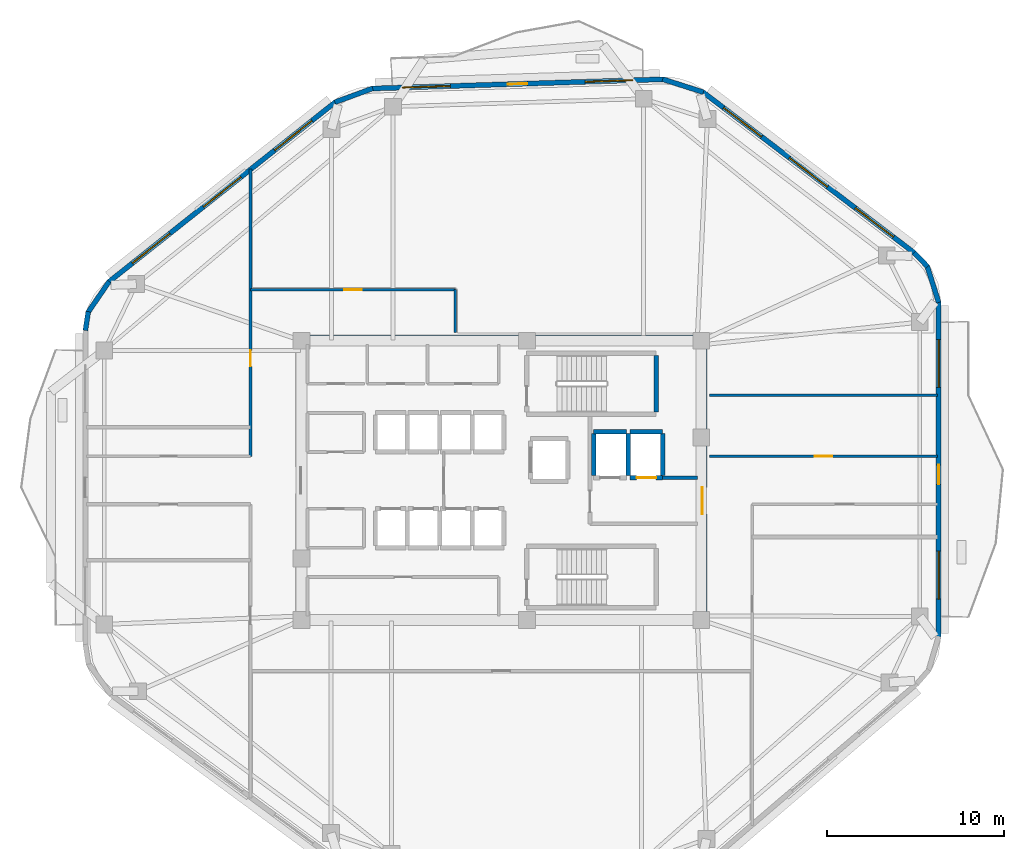
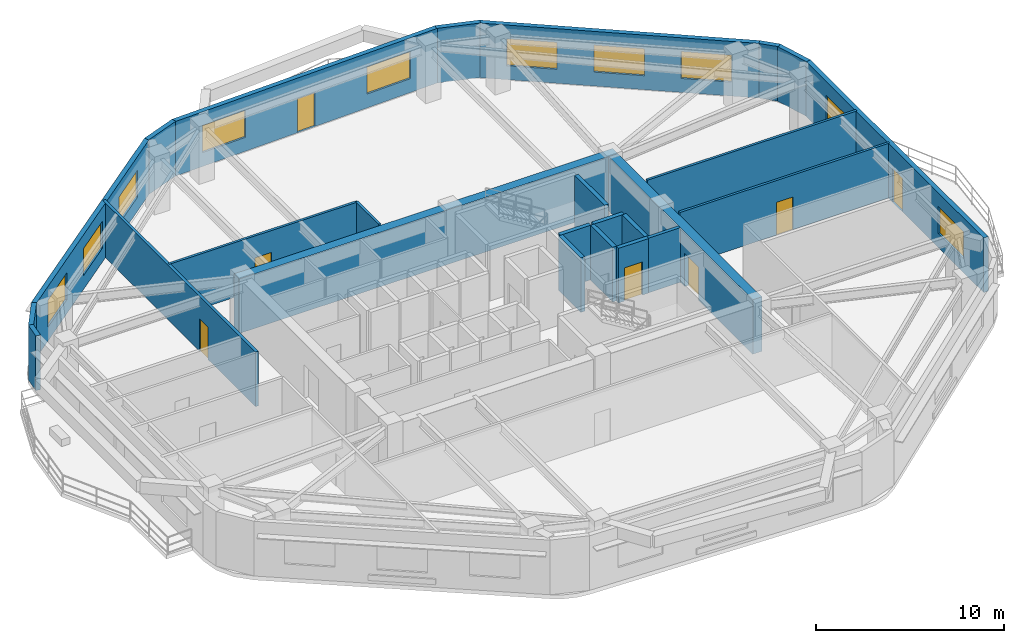
# One storey, part 5 of 8: 25 walls, 10 windows, 7 doors, 17 openings.
"""IFC4 building model written with IfcOpenShell, lengths in metres."""

from ifc_helpers import new_model, si_unit, direction, frame, frame_2d, origin, place, context, subcontext, project, spatial, rectangle, extrude, material, layer, layer_set, type_object, element, fill, save


model = new_model("IFC4")

# Units and contexts
model_context = context("Model", 3, precision=1e-05, world=origin(), true_north=direction((0.0, 1.0)))
body_context = subcontext(model_context, "Body", "Model", "MODEL_VIEW")
ifc_project = project(units=[si_unit("LENGTHUNIT", "METRE"), si_unit("AREAUNIT", "SQUARE_METRE"), si_unit("VOLUMEUNIT", "CUBIC_METRE"), si_unit("PLANEANGLEUNIT", "RADIAN"), si_unit("MASSUNIT", "GRAM", prefix="KILO")], contexts=[model_context])

# Site, building, storey
site_placement = place(None, origin())
site = spatial("IfcSite", under=ifc_project, at=site_placement, CompositionType="ELEMENT")
building_placement = place(site_placement, origin())
building = spatial("IfcBuilding", under=site, at=building_placement, Name="Zulverin Broadcast Headquarters", CompositionType="ELEMENT")
storey_placement = place(building_placement, frame((0.0, 0.0, 174.39990234375)))
storey = spatial("IfcBuildingStorey", under=building, at=storey_placement, Name="L44", CompositionType="ELEMENT", Elevation=174.39990234375)

# Wall
ifc_material_1 = material(Name="Concrete C60/75", Category="concrete")
ifc_layer_1 = layer(ifc_material_1, 0.550048828125, Name="Concrete C60/75", Category="concrete")
ifc_layer_set_1 = layer_set([ifc_layer_1], Name="Concrete C60/75")
wall_type_1 = type_object("IfcWallType", Name="WL-CORE-550", PredefinedType="SHEAR", material=ifc_layer_set_1)
wall_1_placement = place(storey_placement, frame((25.39990234375, 33.125, 0.0), z_axis=(0.0, 0.0, 1.0), x_axis=(1.0, 0.0, 0.0)))
element("IfcWall", 1, at=wall_1_placement, inside=storey, type_object=wall_type_1, Name="L44 Core North Shear Wall", PredefinedType="SHEAR", context=body_context, shape_type="SweptSolid", body=[
    extrude(rectangle(XDim=23.2001953125, YDim=0.550048828125, at=frame_2d((11.60009765625, 0.0))), origin(), (0.0, 0.0, 1.0), 3.5400390625),
])

# Wall, opening, door
wall_2_placement = place(storey_placement, frame((48.324951171875, 17.550048828125, 0.0), z_axis=(0.0, 0.0, 1.0), x_axis=(0.0, 1.0, 0.0)))
wall_2 = element("IfcWall", 2, at=wall_2_placement, inside=storey, type_object=wall_type_1, Name="L44 Core East Shear Wall", PredefinedType="SHEAR", context=body_context, shape_type="SweptSolid", body=[
    extrude(rectangle(XDim=15.300048828125, YDim=0.550048828125, at=frame_2d((7.64990234375, 0.0))), origin(), (0.0, 0.0, 1.0), 3.5400390625),
])
opening_1_placement = place(wall_2_placement, frame((5.75, 0.0, 0.0)))
opening_1 = element("IfcOpeningElement", 3, at=opening_1_placement, cuts=wall_2, Name="Opening D-L44-CE1", PredefinedType="OPENING", context=body_context, shape_type="SweptSolid", body=[
    extrude(rectangle(XDim=1.5, YDim=2.14990234375, at=frame_2d((0.75, 1.074951171875))), frame((0.0, 0.284912109375, 0.0), z_axis=(0.0, -1.0, 0.0), x_axis=(1.0, 0.0, 0.0)), (0.0, 0.0, 1.0), 0.570068359375),
])
ifc_material_2 = material(Name="Fire-rated glazed steel frame", Category="steel")
door_type_1 = type_object("IfcDoorType", Name="DR-COR-1500", OperationType="DOUBLE_DOOR_SINGLE_SWING", PredefinedType="DOOR", material=ifc_material_2)
door_1_placement = place(opening_1_placement, origin())
door_1 = element("IfcDoor", 4, at=door_1_placement, inside=storey, type_object=door_type_1, Name="L44 Firefighting Lobby East Corridor Door", OperationType="DOUBLE_DOOR_SINGLE_SWING", OverallHeight=2.14990234375, OverallWidth=1.5, PredefinedType="DOOR", context=body_context, shape_type="SweptSolid", body=[
    extrude(rectangle(XDim=1.5, YDim=2.14990234375, at=frame_2d((0.75, 1.074951171875))), frame((0.0, 0.02490234375, 0.0), z_axis=(0.0, -1.0, 0.0), x_axis=(1.0, 0.0, 0.0)), (0.0, 0.0, 1.0), 0.050048828125),
])
fill(opening_1, door_1)

# Wall, openings, door, windows
ifc_material_3 = material(Name="Insulated pale-metal clad concrete spandrel C40/50", Category="concrete")
ifc_layer_2 = layer(ifc_material_3, 0.280029296875, Name="Insulated pale-metal clad concrete spandrel C40/50", Category="concrete")
ifc_layer_set_2 = layer_set([ifc_layer_2], Name="Insulated pale-metal clad concrete spandrel C40/50")
wall_type_2 = type_object("IfcWallType", Name="WL-EXT-280", PredefinedType="STANDARD", material=ifc_layer_set_2)
wall_3_placement = place(storey_placement, frame((61.659912109375, 16.369384765625, 0.0), z_axis=(0.0, 0.0, 1.0), x_axis=(0.0, 1.0, 0.0)))
wall_3 = element("IfcWall", 5, at=wall_3_placement, inside=storey, type_object=wall_type_2, Name="L44 Pale-Metal Clad Spandrel Wall 3", PredefinedType="STANDARD", context=body_context, shape_type="SweptSolid", body=[
    extrude(rectangle(XDim=18.902099609375, YDim=0.280029296875, at=frame_2d((9.451171875, 0.0))), origin(), (0.0, 0.0, 1.0), 3.5400390625),
])
opening_2_placement = place(wall_3_placement, frame((8.60107421875, 0.0, 0.0)))
opening_2 = element("IfcOpeningElement", 6, at=opening_2_placement, cuts=wall_3, Name="Opening D-L44-TR3", PredefinedType="OPENING", context=body_context, shape_type="SweptSolid", body=[
    extrude(rectangle(XDim=1.10009765625, YDim=2.199951171875, at=frame_2d((0.550048828125, 1.10009765625))), frame((0.0, 0.14990234375, 0.0), z_axis=(0.0, -1.0, 0.0), x_axis=(1.0, 0.0, 0.0)), (0.0, 0.0, 1.0), 0.300048828125),
])
opening_3_placement = place(wall_3_placement, frame((2.1337890625, 0.0, 0.89990234375)))
opening_3 = element("IfcOpeningElement", 7, at=opening_3_placement, cuts=wall_3, Name="Opening W-L44-E31", PredefinedType="OPENING", context=body_context, shape_type="SweptSolid", body=[
    extrude(rectangle(XDim=2.699951171875, YDim=1.75, at=frame_2d((1.35009765625, 0.875))), frame((0.0, 0.14990234375, 0.0), z_axis=(0.0, -1.0, 0.0), x_axis=(1.0, 0.0, 0.0)), (0.0, 0.0, 1.0), 0.300048828125),
])
opening_4_placement = place(wall_3_placement, frame((14.068603515625, 0.0, 0.89990234375)))
opening_4 = element("IfcOpeningElement", 8, at=opening_4_placement, cuts=wall_3, Name="Opening W-L44-E32", PredefinedType="OPENING", context=body_context, shape_type="SweptSolid", body=[
    extrude(rectangle(XDim=2.699951171875, YDim=1.75, at=frame_2d((1.35009765625, 0.875))), frame((0.0, 0.14990234375, 0.0), z_axis=(0.0, -1.0, 0.0), x_axis=(1.0, 0.0, 0.0)), (0.0, 0.0, 1.0), 0.300048828125),
])
ifc_material_4 = material(Name="Thermally broken aluminium glazed", Category="aluminium")
door_type_2 = type_object("IfcDoorType", Name="DR-TERR-1100", OperationType="SINGLE_SWING_RIGHT", PredefinedType="DOOR", material=ifc_material_4)
door_2_placement = place(opening_2_placement, origin())
door_2 = element("IfcDoor", 9, at=door_2_placement, inside=storey, type_object=door_type_2, Name="L44 Planted Terrace Glazed Access Door 3", OperationType="SINGLE_SWING_RIGHT", OverallHeight=2.199951171875, OverallWidth=1.10009765625, PredefinedType="DOOR", context=body_context, shape_type="SweptSolid", body=[
    extrude(rectangle(XDim=1.10009765625, YDim=2.199951171875, at=frame_2d((0.550048828125, 1.10009765625))), frame((0.0, 0.02490234375, 0.0), z_axis=(0.0, -1.0, 0.0), x_axis=(1.0, 0.0, 0.0)), (0.0, 0.0, 1.0), 0.050048828125),
])
fill(opening_2, door_2)
ifc_material_5 = material(Name="Pale anodized aluminium frame with solar-control low-E double glazing", Category="aluminium")
window_type = type_object("IfcWindowType", Name="WIN-TWR-2700", PartitioningType="SINGLE_PANEL", PredefinedType="WINDOW", material=ifc_material_5)
window_1_placement = place(opening_3_placement, origin())
window_1 = element("IfcWindow", 10, at=window_1_placement, inside=storey, type_object=window_type, Name="L44 Ribbon Glazing Window 3 1", OverallHeight=1.75, OverallWidth=2.699951171875, PartitioningType="SINGLE_PANEL", PredefinedType="WINDOW", context=body_context, shape_type="SweptSolid", body=[
    extrude(rectangle(XDim=2.699951171875, YDim=1.75, at=frame_2d((1.35009765625, 0.875))), frame((0.0, 0.030029296875, 0.0), z_axis=(0.0, -1.0, 0.0), x_axis=(1.0, 0.0, 0.0)), (0.0, 0.0, 1.0), 0.06005859375),
])
fill(opening_3, window_1)
window_2_placement = place(opening_4_placement, origin())
window_2 = element("IfcWindow", 11, at=window_2_placement, inside=storey, type_object=window_type, Name="L44 Ribbon Glazing Window 3 2", OverallHeight=1.75, OverallWidth=2.699951171875, PartitioningType="SINGLE_PANEL", PredefinedType="WINDOW", context=body_context, shape_type="SweptSolid", body=[
    extrude(rectangle(XDim=2.699951171875, YDim=1.75, at=frame_2d((1.35009765625, 0.875))), frame((0.0, 0.030029296875, 0.0), z_axis=(0.0, -1.0, 0.0), x_axis=(1.0, 0.0, 0.0)), (0.0, 0.0, 1.0), 0.06005859375),
])
fill(opening_4, window_2)

# Wall, openings, windows
wall_4_placement = place(storey_placement, frame((60.294921875, 38.025146484375, 0.0), z_axis=(0.0, 0.0, 1.0), x_axis=(-0.795831760834, 0.605517801925, 0.0)))
wall_4 = element("IfcWall", 12, at=wall_4_placement, inside=storey, type_object=wall_type_2, Name="L44 Pale-Metal Clad Spandrel Wall 4", PredefinedType="STANDARD", context=body_context, shape_type="SweptSolid", body=[
    extrude(rectangle(XDim=15.01171875, YDim=0.280029296875, at=frame_2d((7.505859375, 0.0))), origin(), (0.0, 0.0, 1.0), 3.5400390625),
])
opening_5_placement = place(wall_4_placement, frame((1.4853515625, 0.0, 0.89990234375)))
opening_5 = element("IfcOpeningElement", 13, at=opening_5_placement, cuts=wall_4, Name="Opening W-L44-E41", PredefinedType="OPENING", context=body_context, shape_type="SweptSolid", body=[
    extrude(rectangle(XDim=2.699951171875, YDim=1.75, at=frame_2d((1.35009765625, 0.875))), frame((0.0, 0.14990234375, 0.0), z_axis=(0.0, -1.0, 0.0), x_axis=(1.0, 0.0, 0.0)), (0.0, 0.0, 1.0), 0.300048828125),
])
opening_6_placement = place(wall_4_placement, frame((6.156005859375, 0.0, 0.89990234375)))
opening_6 = element("IfcOpeningElement", 14, at=opening_6_placement, cuts=wall_4, Name="Opening W-L44-E42", PredefinedType="OPENING", context=body_context, shape_type="SweptSolid", body=[
    extrude(rectangle(XDim=2.699951171875, YDim=1.75, at=frame_2d((1.35009765625, 0.875))), frame((0.0, 0.14990234375, 0.0), z_axis=(0.0, -1.0, 0.0), x_axis=(1.0, 0.0, 0.0)), (0.0, 0.0, 1.0), 0.300048828125),
])
opening_7_placement = place(wall_4_placement, frame((10.826416015625, 0.0, 0.89990234375)))
opening_7 = element("IfcOpeningElement", 15, at=opening_7_placement, cuts=wall_4, Name="Opening W-L44-E43", PredefinedType="OPENING", context=body_context, shape_type="SweptSolid", body=[
    extrude(rectangle(XDim=2.699951171875, YDim=1.75, at=frame_2d((1.35009765625, 0.875))), frame((0.0, 0.14990234375, 0.0), z_axis=(0.0, -1.0, 0.0), x_axis=(1.0, 0.0, 0.0)), (0.0, 0.0, 1.0), 0.300048828125),
])
window_3_placement = place(opening_5_placement, origin())
window_3 = element("IfcWindow", 16, at=window_3_placement, inside=storey, type_object=window_type, Name="L44 Ribbon Glazing Window 4 1", OverallHeight=1.75, OverallWidth=2.699951171875, PartitioningType="SINGLE_PANEL", PredefinedType="WINDOW", context=body_context, shape_type="SweptSolid", body=[
    extrude(rectangle(XDim=2.699951171875, YDim=1.75, at=frame_2d((1.35009765625, 0.875))), frame((0.0, 0.030029296875, 0.0), z_axis=(0.0, -1.0, 0.0), x_axis=(1.0, 0.0, 0.0)), (0.0, 0.0, 1.0), 0.06005859375),
])
fill(opening_5, window_3)
window_4_placement = place(opening_6_placement, origin())
window_4 = element("IfcWindow", 17, at=window_4_placement, inside=storey, type_object=window_type, Name="L44 Ribbon Glazing Window 4 2", OverallHeight=1.75, OverallWidth=2.699951171875, PartitioningType="SINGLE_PANEL", PredefinedType="WINDOW", context=body_context, shape_type="SweptSolid", body=[
    extrude(rectangle(XDim=2.699951171875, YDim=1.75, at=frame_2d((1.35009765625, 0.875))), frame((0.0, 0.030029296875, 0.0), z_axis=(0.0, -1.0, 0.0), x_axis=(1.0, 0.0, 0.0)), (0.0, 0.0, 1.0), 0.06005859375),
])
fill(opening_6, window_4)
window_5_placement = place(opening_7_placement, origin())
window_5 = element("IfcWindow", 18, at=window_5_placement, inside=storey, type_object=window_type, Name="L44 Ribbon Glazing Window 4 3", OverallHeight=1.75, OverallWidth=2.699951171875, PartitioningType="SINGLE_PANEL", PredefinedType="WINDOW", context=body_context, shape_type="SweptSolid", body=[
    extrude(rectangle(XDim=2.699951171875, YDim=1.75, at=frame_2d((1.35009765625, 0.875))), frame((0.0, 0.030029296875, 0.0), z_axis=(0.0, -1.0, 0.0), x_axis=(1.0, 0.0, 0.0)), (0.0, 0.0, 1.0), 0.06005859375),
])
fill(opening_7, window_5)

# Wall, openings, door, windows
wall_5_placement = place(storey_placement, frame((46.143310546875, 47.819580078125, 0.0), z_axis=(0.0, 0.0, 1.0), x_axis=(-0.999497065256, -0.031711457627, 0.0)))
wall_5 = element("IfcWall", 19, at=wall_5_placement, inside=storey, type_object=wall_type_2, Name="L44 Pale-Metal Clad Spandrel Wall 5", PredefinedType="STANDARD", context=body_context, shape_type="SweptSolid", body=[
    extrude(rectangle(XDim=16.452392578125, YDim=0.280029296875, at=frame_2d((8.22607421875, 0.0))), origin(), (0.0, 0.0, 1.0), 3.5400390625),
])
opening_8_placement = place(wall_5_placement, frame((7.67626953125, 0.0, 0.0)))
opening_8 = element("IfcOpeningElement", 20, at=opening_8_placement, cuts=wall_5, Name="Opening D-L44-TR5", PredefinedType="OPENING", context=body_context, shape_type="SweptSolid", body=[
    extrude(rectangle(XDim=1.10009765625, YDim=2.199951171875, at=frame_2d((0.550048828125, 1.10009765625))), frame((0.0, 0.14990234375, 0.0), z_axis=(0.0, -1.0, 0.0), x_axis=(1.0, 0.0, 0.0)), (0.0, 0.0, 1.0), 0.300048828125),
])
opening_9_placement = place(wall_5_placement, frame((1.725341796875, 0.0, 0.89990234375)))
opening_9 = element("IfcOpeningElement", 21, at=opening_9_placement, cuts=wall_5, Name="Opening W-L44-E51", PredefinedType="OPENING", context=body_context, shape_type="SweptSolid", body=[
    extrude(rectangle(XDim=2.699951171875, YDim=1.75, at=frame_2d((1.35009765625, 0.875))), frame((0.0, 0.14990234375, 0.0), z_axis=(0.0, -1.0, 0.0), x_axis=(1.0, 0.0, 0.0)), (0.0, 0.0, 1.0), 0.300048828125),
])
opening_10_placement = place(wall_5_placement, frame((12.027099609375, 0.0, 0.89990234375)))
opening_10 = element("IfcOpeningElement", 22, at=opening_10_placement, cuts=wall_5, Name="Opening W-L44-E52", PredefinedType="OPENING", context=body_context, shape_type="SweptSolid", body=[
    extrude(rectangle(XDim=2.699951171875, YDim=1.75, at=frame_2d((1.35009765625, 0.875))), frame((0.0, 0.14990234375, 0.0), z_axis=(0.0, -1.0, 0.0), x_axis=(1.0, 0.0, 0.0)), (0.0, 0.0, 1.0), 0.300048828125),
])
door_3_placement = place(opening_8_placement, origin())
door_3 = element("IfcDoor", 23, at=door_3_placement, inside=storey, type_object=door_type_2, Name="L44 Planted Terrace Glazed Access Door 5", OperationType="SINGLE_SWING_RIGHT", OverallHeight=2.199951171875, OverallWidth=1.10009765625, PredefinedType="DOOR", context=body_context, shape_type="SweptSolid", body=[
    extrude(rectangle(XDim=1.10009765625, YDim=2.199951171875, at=frame_2d((0.550048828125, 1.10009765625))), frame((0.0, 0.02490234375, 0.0), z_axis=(0.0, -1.0, 0.0), x_axis=(1.0, 0.0, 0.0)), (0.0, 0.0, 1.0), 0.050048828125),
])
fill(opening_8, door_3)
window_6_placement = place(opening_9_placement, origin())
window_6 = element("IfcWindow", 24, at=window_6_placement, inside=storey, type_object=window_type, Name="L44 Ribbon Glazing Window 5 1", OverallHeight=1.75, OverallWidth=2.699951171875, PartitioningType="SINGLE_PANEL", PredefinedType="WINDOW", context=body_context, shape_type="SweptSolid", body=[
    extrude(rectangle(XDim=2.699951171875, YDim=1.75, at=frame_2d((1.35009765625, 0.875))), frame((0.0, 0.030029296875, 0.0), z_axis=(0.0, -1.0, 0.0), x_axis=(1.0, 0.0, 0.0)), (0.0, 0.0, 1.0), 0.06005859375),
])
fill(opening_9, window_6)
window_7_placement = place(opening_10_placement, origin())
window_7 = element("IfcWindow", 25, at=window_7_placement, inside=storey, type_object=window_type, Name="L44 Ribbon Glazing Window 5 2", OverallHeight=1.75, OverallWidth=2.699951171875, PartitioningType="SINGLE_PANEL", PredefinedType="WINDOW", context=body_context, shape_type="SweptSolid", body=[
    extrude(rectangle(XDim=2.699951171875, YDim=1.75, at=frame_2d((1.35009765625, 0.875))), frame((0.0, 0.030029296875, 0.0), z_axis=(0.0, -1.0, 0.0), x_axis=(1.0, 0.0, 0.0)), (0.0, 0.0, 1.0), 0.06005859375),
])
fill(opening_10, window_7)

# Wall, openings, windows
wall_6_placement = place(storey_placement, frame((27.657958984375, 46.5498046875, 0.0), z_axis=(0.0, 0.0, 1.0), x_axis=(-0.783266285861, -0.621686356158, 0.0)))
wall_6 = element("IfcWall", 26, at=wall_6_placement, inside=storey, type_object=wall_type_2, Name="L44 Pale-Metal Clad Spandrel Wall 6", PredefinedType="STANDARD", context=body_context, shape_type="SweptSolid", body=[
    extrude(rectangle(XDim=16.35302734375, YDim=0.280029296875, at=frame_2d((8.176513671875, 0.0))), origin(), (0.0, 0.0, 1.0), 3.5400390625),
])
opening_11_placement = place(wall_6_placement, frame((1.708740234375, 0.0, 0.89990234375)))
opening_11 = element("IfcOpeningElement", 27, at=opening_11_placement, cuts=wall_6, Name="Opening W-L44-E61", PredefinedType="OPENING", context=body_context, shape_type="SweptSolid", body=[
    extrude(rectangle(XDim=2.699951171875, YDim=1.75, at=frame_2d((1.35009765625, 0.875))), frame((0.0, 0.14990234375, 0.0), z_axis=(0.0, -1.0, 0.0), x_axis=(1.0, 0.0, 0.0)), (0.0, 0.0, 1.0), 0.300048828125),
])
opening_12_placement = place(wall_6_placement, frame((6.826416015625, 0.0, 0.89990234375)))
opening_12 = element("IfcOpeningElement", 28, at=opening_12_placement, cuts=wall_6, Name="Opening W-L44-E62", PredefinedType="OPENING", context=body_context, shape_type="SweptSolid", body=[
    extrude(rectangle(XDim=2.699951171875, YDim=1.75, at=frame_2d((1.35009765625, 0.875))), frame((0.0, 0.14990234375, 0.0), z_axis=(0.0, -1.0, 0.0), x_axis=(1.0, 0.0, 0.0)), (0.0, 0.0, 1.0), 0.300048828125),
])
opening_13_placement = place(wall_6_placement, frame((11.944091796875, 0.0, 0.89990234375)))
opening_13 = element("IfcOpeningElement", 29, at=opening_13_placement, cuts=wall_6, Name="Opening W-L44-E63", PredefinedType="OPENING", context=body_context, shape_type="SweptSolid", body=[
    extrude(rectangle(XDim=2.699951171875, YDim=1.75, at=frame_2d((1.35009765625, 0.875))), frame((0.0, 0.14990234375, 0.0), z_axis=(0.0, -1.0, 0.0), x_axis=(1.0, 0.0, 0.0)), (0.0, 0.0, 1.0), 0.300048828125),
])
window_8_placement = place(opening_11_placement, origin())
window_8 = element("IfcWindow", 30, at=window_8_placement, inside=storey, type_object=window_type, Name="L44 Ribbon Glazing Window 6 1", OverallHeight=1.75, OverallWidth=2.699951171875, PartitioningType="SINGLE_PANEL", PredefinedType="WINDOW", context=body_context, shape_type="SweptSolid", body=[
    extrude(rectangle(XDim=2.699951171875, YDim=1.75, at=frame_2d((1.35009765625, 0.875))), frame((0.0, 0.030029296875, 0.0), z_axis=(0.0, -1.0, 0.0), x_axis=(1.0, 0.0, 0.0)), (0.0, 0.0, 1.0), 0.06005859375),
])
fill(opening_11, window_8)
window_9_placement = place(opening_12_placement, origin())
window_9 = element("IfcWindow", 31, at=window_9_placement, inside=storey, type_object=window_type, Name="L44 Ribbon Glazing Window 6 2", OverallHeight=1.75, OverallWidth=2.699951171875, PartitioningType="SINGLE_PANEL", PredefinedType="WINDOW", context=body_context, shape_type="SweptSolid", body=[
    extrude(rectangle(XDim=2.699951171875, YDim=1.75, at=frame_2d((1.35009765625, 0.875))), frame((0.0, 0.030029296875, 0.0), z_axis=(0.0, -1.0, 0.0), x_axis=(1.0, 0.0, 0.0)), (0.0, 0.0, 1.0), 0.06005859375),
])
fill(opening_12, window_9)
window_10_placement = place(opening_13_placement, origin())
window_10 = element("IfcWindow", 32, at=window_10_placement, inside=storey, type_object=window_type, Name="L44 Ribbon Glazing Window 6 3", OverallHeight=1.75, OverallWidth=2.699951171875, PartitioningType="SINGLE_PANEL", PredefinedType="WINDOW", context=body_context, shape_type="SweptSolid", body=[
    extrude(rectangle(XDim=2.699951171875, YDim=1.75, at=frame_2d((1.35009765625, 0.875))), frame((0.0, 0.030029296875, 0.0), z_axis=(0.0, -1.0, 0.0), x_axis=(1.0, 0.0, 0.0)), (0.0, 0.0, 1.0), 0.06005859375),
])
fill(opening_13, window_10)

# Walls
wall_7_placement = place(storey_placement, frame((61.66650390625, 35.229248046875, 0.0), z_axis=(0.0, 0.0, 1.0), x_axis=(-0.302044777107, 0.953293738898, 0.0)))
element("IfcWall", 33, at=wall_7_placement, inside=storey, type_object=wall_type_2, Name="L44 Wind-Shaped Corner Spandrel Wall 3-1", PredefinedType="STANDARD", context=body_context, shape_type="SweptSolid", body=[
    extrude(rectangle(XDim=2.17431640625, YDim=0.280029296875, at=frame_2d((1.087158203125, 0.0))), origin(), (0.0, 0.0, 1.0), 3.5400390625),
])
wall_8_placement = place(storey_placement, frame((61.04248046875, 37.247314453125, 0.0), z_axis=(0.0, 0.0, 1.0), x_axis=(-0.694004126367, 0.719971022045, 0.0)))
element("IfcWall", 34, at=wall_8_placement, inside=storey, type_object=wall_type_2, Name="L44 Wind-Shaped Corner Spandrel Wall 3-2", PredefinedType="STANDARD", context=body_context, shape_type="SweptSolid", body=[
    extrude(rectangle(XDim=1.10009765625, YDim=0.280029296875, at=frame_2d((0.550048828125, 0.0))), origin(), (0.0, 0.0, 1.0), 3.5400390625),
])
wall_9_placement = place(storey_placement, frame((48.390380859375, 47.093017578125, 0.0), z_axis=(0.0, 0.0, 1.0), x_axis=(-0.952542948918, 0.304404222156, 0.0)))
element("IfcWall", 35, at=wall_9_placement, inside=storey, type_object=wall_type_2, Name="L44 Wind-Shaped Corner Spandrel Wall 4-1", PredefinedType="STANDARD", context=body_context, shape_type="SweptSolid", body=[
    extrude(rectangle(XDim=2.408447265625, YDim=0.280029296875, at=frame_2d((1.2041015625, 0.0))), origin(), (0.0, 0.0, 1.0), 3.5400390625),
])
wall_10_placement = place(storey_placement, frame((29.742919921875, 47.306396484375, 0.0), z_axis=(0.0, 0.0, 1.0), x_axis=(-0.93893328381, -0.344099242302, 0.0)))
element("IfcWall", 36, at=wall_10_placement, inside=storey, type_object=wall_type_2, Name="L44 Wind-Shaped Corner Spandrel Wall 5-1", PredefinedType="STANDARD", context=body_context, shape_type="SweptSolid", body=[
    extrude(rectangle(XDim=2.261962890625, YDim=0.280029296875, at=frame_2d((1.130859375, 0.0))), origin(), (0.0, 0.0, 1.0), 3.5400390625),
])
wall_11_placement = place(storey_placement, frame((14.877685546875, 36.4140625, 0.0), z_axis=(0.0, 0.0, 1.0), x_axis=(-0.564564614133, -0.825388875906, 0.0)))
element("IfcWall", 37, at=wall_11_placement, inside=storey, type_object=wall_type_2, Name="L44 Wind-Shaped Corner Spandrel Wall 6-1", PredefinedType="STANDARD", context=body_context, shape_type="SweptSolid", body=[
    extrude(rectangle(XDim=2.127685546875, YDim=0.280029296875, at=frame_2d((1.06396484375, 0.0))), origin(), (0.0, 0.0, 1.0), 3.5400390625),
])
wall_12_placement = place(storey_placement, frame((13.69921875, 34.716064453125, 0.0), z_axis=(0.0, 0.0, 1.0), x_axis=(-0.149549920187, -0.988754176412, 0.0)))
element("IfcWall", 38, at=wall_12_placement, inside=storey, type_object=wall_type_2, Name="L44 Wind-Shaped Corner Spandrel Wall 6-2", PredefinedType="STANDARD", context=body_context, shape_type="SweptSolid", body=[
    extrude(rectangle(XDim=1.075927734375, YDim=0.280029296875, at=frame_2d((0.5380859375, 0.0))), origin(), (0.0, 0.0, 1.0), 3.5400390625),
])
ifc_material_6 = material(Name="Concrete C40/50", Category="concrete")
ifc_layer_3 = layer(ifc_material_6, 0.199951171875, Name="Concrete C40/50", Category="concrete")
ifc_layer_set_3 = layer_set([ifc_layer_3], Name="Concrete C40/50")
wall_type_3 = type_object("IfcWallType", Name="WL-FFL-200", PredefinedType="SOLIDWALL", material=ifc_layer_set_3)
wall_13_placement = place(storey_placement, frame((46.10009765625, 25.35009765625, 0.0), z_axis=(0.0, 0.0, 1.0), x_axis=(1.0, 0.0, 0.0)))
element("IfcWall", 39, at=wall_13_placement, inside=storey, type_object=wall_type_3, Name="L44 Firefighting Lift Lobby North Wall", PredefinedType="SOLIDWALL", context=body_context, shape_type="SweptSolid", body=[
    extrude(rectangle(XDim=1.949951171875, YDim=0.199951171875, at=frame_2d((0.97509765625, 0.0))), origin(), (0.0, 0.0, 1.0), 3.5400390625),
])
ifc_material_7 = material(Name="Fire-rated gypsum stud partition", Category="gypsum")
ifc_layer_4 = layer(ifc_material_7, 0.14990234375, Name="Fire-rated gypsum stud partition", Category="gypsum")
ifc_layer_set_4 = layer_set([ifc_layer_4], Name="Fire-rated gypsum stud partition")
wall_type_4 = type_object("IfcWallType", Name="WL-PART-150", PredefinedType="PARTITIONING", material=ifc_layer_set_4)
wall_14_placement = place(storey_placement, frame((34.39990234375, 33.5400390625, 0.0), z_axis=(0.0, 0.0, 1.0), x_axis=(0.0, 1.0, 0.0)))
element("IfcWall", 40, at=wall_14_placement, inside=storey, type_object=wall_type_4, Name="L44 Gallery Partition Wall CG-02", PredefinedType="PARTITIONING", context=body_context, shape_type="SweptSolid", body=[
    extrude(rectangle(XDim=2.409912109375, YDim=0.14990234375, at=frame_2d((1.205078125, 0.0))), origin(), (0.0, 0.0, 1.0), 3.5400390625),
])

# Wall, opening, door
wall_15_placement = place(storey_placement, frame((48.739990234375, 26.550048828125, 0.0), z_axis=(0.0, 0.0, 1.0), x_axis=(1.0, 0.0, 0.0)))
wall_15 = element("IfcWall", 41, at=wall_15_placement, inside=storey, type_object=wall_type_4, Name="L44 Gallery Partition Wall CG-11", PredefinedType="PARTITIONING", context=body_context, shape_type="SweptSolid", body=[
    extrude(rectangle(XDim=12.85498046875, YDim=0.14990234375, at=frame_2d((6.427490234375, 0.0))), origin(), (0.0, 0.0, 1.0), 3.5400390625),
])
opening_14_placement = place(wall_15_placement, frame((5.927490234375, 0.0, 0.0)))
opening_14 = element("IfcOpeningElement", 42, at=opening_14_placement, cuts=wall_15, Name="Opening D-L44-09", PredefinedType="OPENING", context=body_context, shape_type="SweptSolid", body=[
    extrude(rectangle(XDim=1.0, YDim=2.1201171875, at=frame_2d((0.5, 1.06005859375))), frame((0.0, 0.0849609375, 0.0), z_axis=(0.0, -1.0, 0.0), x_axis=(1.0, 0.0, 0.0)), (0.0, 0.0, 1.0), 0.169921875),
])
ifc_material_8 = material(Name="Hardwood veneer acoustic leaf", Category="wood")
door_type_3 = type_object("IfcDoorType", Name="DR-OFF-1000", OperationType="SINGLE_SWING_LEFT", PredefinedType="DOOR", material=ifc_material_8)
door_4_placement = place(opening_14_placement, origin())
door_4 = element("IfcDoor", 43, at=door_4_placement, inside=storey, type_object=door_type_3, Name="L44 Foreign Desk Office Door", OperationType="SINGLE_SWING_RIGHT", OverallHeight=2.1201171875, OverallWidth=1.0, PredefinedType="DOOR", context=body_context, shape_type="SweptSolid", body=[
    extrude(rectangle(XDim=1.0, YDim=2.1201171875, at=frame_2d((0.5, 1.06005859375))), frame((0.0, 0.02490234375, 0.0), z_axis=(0.0, -1.0, 0.0), x_axis=(1.0, 0.0, 0.0)), (0.0, 0.0, 1.0), 0.050048828125),
])
fill(opening_14, door_4)

# Wall
wall_16_placement = place(storey_placement, frame((48.739990234375, 30.0, 0.0), z_axis=(0.0, 0.0, 1.0), x_axis=(1.0, 0.0, 0.0)))
element("IfcWall", 44, at=wall_16_placement, inside=storey, type_object=wall_type_4, Name="L44 Room Partition Wall RP-13", PredefinedType="PARTITIONING", context=body_context, shape_type="SweptSolid", body=[
    extrude(rectangle(XDim=12.85498046875, YDim=0.14990234375, at=frame_2d((6.427490234375, 0.0))), origin(), (0.0, 0.0, 1.0), 3.5400390625),
])

# Wall, opening, door
wall_17_placement = place(storey_placement, frame((22.85009765625, 35.949951171875, 0.0), z_axis=(0.0, 0.0, 1.0), x_axis=(1.0, 0.0, 0.0)))
wall_17 = element("IfcWall", 45, at=wall_17_placement, inside=storey, type_object=wall_type_4, Name="L44 Gallery Partition Wall CG-14", PredefinedType="PARTITIONING", context=body_context, shape_type="SweptSolid", body=[
    extrude(rectangle(XDim=11.5498046875, YDim=0.14990234375, at=frame_2d((5.77490234375, 0.0))), origin(), (0.0, 0.0, 1.0), 3.5400390625),
])
opening_15_placement = place(wall_17_placement, frame((5.27490234375, 0.0, 0.0)))
opening_15 = element("IfcOpeningElement", 46, at=opening_15_placement, cuts=wall_17, Name="Opening D-L44-01", PredefinedType="OPENING", context=body_context, shape_type="SweptSolid", body=[
    extrude(rectangle(XDim=1.0, YDim=2.1201171875, at=frame_2d((0.5, 1.06005859375))), frame((0.0, 0.0849609375, 0.0), z_axis=(0.0, -1.0, 0.0), x_axis=(1.0, 0.0, 0.0)), (0.0, 0.0, 1.0), 0.169921875),
])
door_5_placement = place(opening_15_placement, origin())
door_5 = element("IfcDoor", 47, at=door_5_placement, inside=storey, type_object=door_type_3, Name="L44 Current Affairs Open Workplace Door", OperationType="SINGLE_SWING_RIGHT", OverallHeight=2.1201171875, OverallWidth=1.0, PredefinedType="DOOR", context=body_context, shape_type="SweptSolid", body=[
    extrude(rectangle(XDim=1.0, YDim=2.1201171875, at=frame_2d((0.5, 1.06005859375))), frame((0.0, 0.02490234375, 0.0), z_axis=(0.0, -1.0, 0.0), x_axis=(1.0, 0.0, 0.0)), (0.0, 0.0, 1.0), 0.050048828125),
])
fill(opening_15, door_5)

ifc_material_9 = material(Name="Fire-rated acoustic stud wall", Category="gypsum")
ifc_layer_5 = layer(ifc_material_9, 0.175048828125, Name="Fire-rated acoustic stud wall", Category="gypsum")
ifc_layer_set_5 = layer_set([ifc_layer_5], Name="Fire-rated acoustic stud wall")
wall_type_5 = type_object("IfcWallType", Name="WL-PART-175", PredefinedType="PARTITIONING", material=ifc_layer_set_5)
wall_18_placement = place(storey_placement, frame((22.85009765625, 26.550048828125, 0.0), z_axis=(0.0, 0.0, 1.0), x_axis=(0.0, 1.0, 0.0)))
wall_18 = element("IfcWall", 48, at=wall_18_placement, inside=storey, type_object=wall_type_5, Name="L44 Gallery Partition Wall CG-04", PredefinedType="PARTITIONING", context=body_context, shape_type="SweptSolid", body=[
    extrude(rectangle(XDim=16.222412109375, YDim=0.175048828125, at=frame_2d((8.111328125, 0.0))), origin(), (0.0, 0.0, 1.0), 3.5400390625),
])
opening_16_placement = place(wall_18_placement, frame((5.074951171875, 0.0, 0.0)))
opening_16 = element("IfcOpeningElement", 49, at=opening_16_placement, cuts=wall_18, Name="Opening D-L44-06", PredefinedType="OPENING", context=body_context, shape_type="SweptSolid", body=[
    extrude(rectangle(XDim=0.89990234375, YDim=2.10009765625, at=frame_2d((0.449951171875, 1.050048828125))), frame((0.0, 0.097412109375, 0.0), z_axis=(0.0, -1.0, 0.0), x_axis=(1.0, 0.0, 0.0)), (0.0, 0.0, 1.0), 0.195068359375),
])
ifc_material_10 = material(Name="Fire-rated hardwood veneer timber leaf", Category="wood")
door_type_4 = type_object("IfcDoorType", Name="DR-ROOM-900", OperationType="SINGLE_SWING_RIGHT", PredefinedType="DOOR", material=ifc_material_10)
door_6_placement = place(opening_16_placement, origin())
door_6 = element("IfcDoor", 50, at=door_6_placement, inside=storey, type_object=door_type_4, Name="L44 Refreshment Pantry Door", OperationType="SINGLE_SWING_LEFT", OverallHeight=2.10009765625, OverallWidth=0.89990234375, PredefinedType="DOOR", context=body_context, shape_type="SweptSolid", body=[
    extrude(rectangle(XDim=0.89990234375, YDim=2.10009765625, at=frame_2d((0.449951171875, 1.050048828125))), frame((0.0, 0.02490234375, 0.0), z_axis=(0.0, -1.0, 0.0), x_axis=(1.0, 0.0, 0.0)), (0.0, 0.0, 1.0), 0.050048828125),
])
fill(opening_16, door_6)

# Walls
ifc_material_11 = material(Name="Concrete C50/60", Category="concrete")
ifc_layer_6 = layer(ifc_material_11, 0.25, Name="Concrete C50/60", Category="concrete")
ifc_layer_set_6 = layer_set([ifc_layer_6], Name="Concrete C50/60")
wall_type_6 = type_object("IfcWallType", Name="WL-SHAFT-250", PredefinedType="SHEAR", material=ifc_layer_set_6)
wall_19_placement = place(storey_placement, frame((45.72509765625, 29.050048828125, 0.0), z_axis=(0.0, 0.0, 1.0), x_axis=(0.0, 1.0, 0.0)))
element("IfcWall", 51, at=wall_19_placement, inside=storey, type_object=wall_type_6, Name="L44 ST-1 Enclosure Wall E", PredefinedType="SHEAR", context=body_context, shape_type="SweptSolid", body=[
    extrude(rectangle(XDim=3.199951171875, YDim=0.25, at=frame_2d((1.60009765625, 0.0))), origin(), (0.0, 0.0, 1.0), 3.5400390625),
])
wall_20_placement = place(storey_placement, frame((42.199951171875, 27.949951171875, 0.0), z_axis=(0.0, 0.0, 1.0), x_axis=(1.0, 0.0, 0.0)))
element("IfcWall", 52, at=wall_20_placement, inside=storey, type_object=wall_type_6, Name="L44 Lift FFL-1 Shaft Wall N", PredefinedType="SHEAR", context=body_context, shape_type="SweptSolid", body=[
    extrude(rectangle(XDim=1.85009765625, YDim=0.25, at=frame_2d((0.925048828125, 0.0))), origin(), (0.0, 0.0, 1.0), 3.5400390625),
])
for number, where, z_axis, x_axis, name in (
    (53, (42.199951171875, 25.469970703125, 0.0), (0.0, 0.0, 1.0), (0.0, 1.0, 0.0), "L44 Lift FFL-1 Shaft Wall W"),
    (54, (44.14990234375, 25.469970703125, 0.0), (0.0, 0.0, 1.0), (0.0, 1.0, 0.0), "L44 Lift FFL-1 Shaft Wall E"),
):
    element("IfcWall", number, at=place(storey_placement, frame(where, z_axis=z_axis, x_axis=x_axis)), inside=storey, type_object=wall_type_6, Name=name, PredefinedType="SHEAR", context=body_context, shape_type="SweptSolid", body=[
        extrude(rectangle(XDim=2.360107421875, YDim=0.25, at=frame_2d((1.18017578125, 0.0))), origin(), (0.0, 0.0, 1.0), 3.5400390625),
    ])

# Wall, opening, door
wall_21_placement = place(storey_placement, frame((44.25, 25.35009765625, 0.0), z_axis=(0.0, 0.0, 1.0), x_axis=(1.0, 0.0, 0.0)))
wall_21 = element("IfcWall", 55, at=wall_21_placement, inside=storey, type_object=wall_type_6, Name="L44 Lift FFL-2 Shaft Wall S", PredefinedType="SHEAR", context=body_context, shape_type="SweptSolid", body=[
    extrude(rectangle(XDim=1.85009765625, YDim=0.25, at=frame_2d((0.925048828125, 0.0))), origin(), (0.0, 0.0, 1.0), 3.5400390625),
])
opening_17_placement = place(wall_21_placement, frame((0.375, 0.0, 0.0)))
opening_17 = element("IfcOpeningElement", 56, at=opening_17_placement, cuts=wall_21, Name="Opening LD-FFL-2-L44", PredefinedType="OPENING", context=body_context, shape_type="SweptSolid", body=[
    extrude(rectangle(XDim=1.10009765625, YDim=2.14990234375, at=frame_2d((0.550048828125, 1.074951171875))), frame((0.0, 0.135009765625, 0.0), z_axis=(0.0, -1.0, 0.0), x_axis=(1.0, 0.0, 0.0)), (0.0, 0.0, 1.0), 0.27001953125),
])
ifc_material_12 = material(Name="Fire-rated stainless landing door", Category="steel")
door_type_5 = type_object("IfcDoorType", Name="LD-FFL-1100", OperationType="DOUBLE_DOOR_SLIDING", PredefinedType="DOOR", material=ifc_material_12)
door_7_placement = place(opening_17_placement, origin())
door_7 = element("IfcDoor", 57, at=door_7_placement, inside=storey, type_object=door_type_5, Name="L44 Lift FFL-2 Sliding Landing Door", OperationType="DOUBLE_DOOR_SLIDING", OverallHeight=2.14990234375, OverallWidth=1.10009765625, PredefinedType="DOOR", context=body_context, shape_type="SweptSolid", body=[
    extrude(rectangle(XDim=1.10009765625, YDim=2.14990234375, at=frame_2d((0.550048828125, 1.074951171875))), frame((0.0, 0.02490234375, 0.0), z_axis=(0.0, -1.0, 0.0), x_axis=(1.0, 0.0, 0.0)), (0.0, 0.0, 1.0), 0.050048828125),
])
fill(opening_17, door_7)

# Walls
wall_22_placement = place(storey_placement, frame((44.25, 27.949951171875, 0.0), z_axis=(0.0, 0.0, 1.0), x_axis=(1.0, 0.0, 0.0)))
element("IfcWall", 58, at=wall_22_placement, inside=storey, type_object=wall_type_6, Name="L44 Lift FFL-2 Shaft Wall N", PredefinedType="SHEAR", context=body_context, shape_type="SweptSolid", body=[
    extrude(rectangle(XDim=1.85009765625, YDim=0.25, at=frame_2d((0.925048828125, 0.0))), origin(), (0.0, 0.0, 1.0), 3.5400390625),
])
wall_23_placement = place(storey_placement, frame((46.10009765625, 25.469970703125, 0.0), z_axis=(0.0, 0.0, 1.0), x_axis=(0.0, 1.0, 0.0)))
element("IfcWall", 59, at=wall_23_placement, inside=storey, type_object=wall_type_6, Name="L44 Lift FFL-2 Shaft Wall E", PredefinedType="SHEAR", context=body_context, shape_type="SweptSolid", body=[
    extrude(rectangle(XDim=2.360107421875, YDim=0.25, at=frame_2d((1.18017578125, 0.0))), origin(), (0.0, 0.0, 1.0), 3.5400390625),
])

save(model, "model.ifc")
